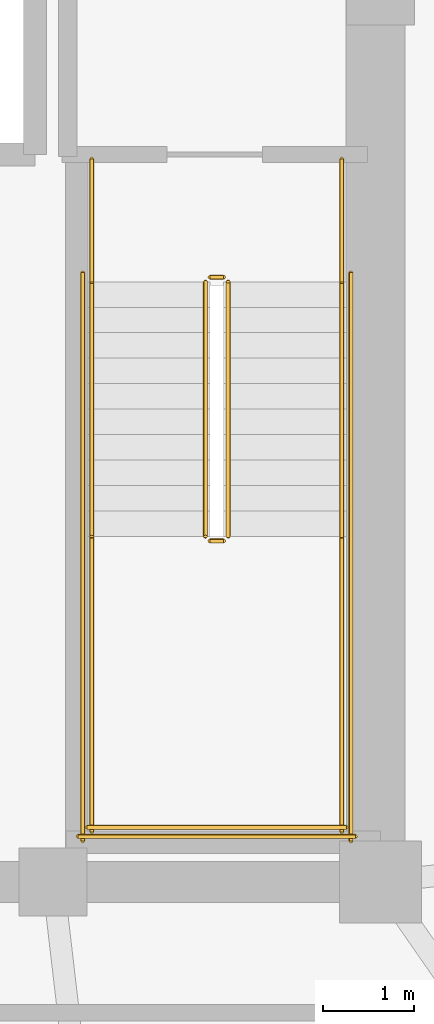
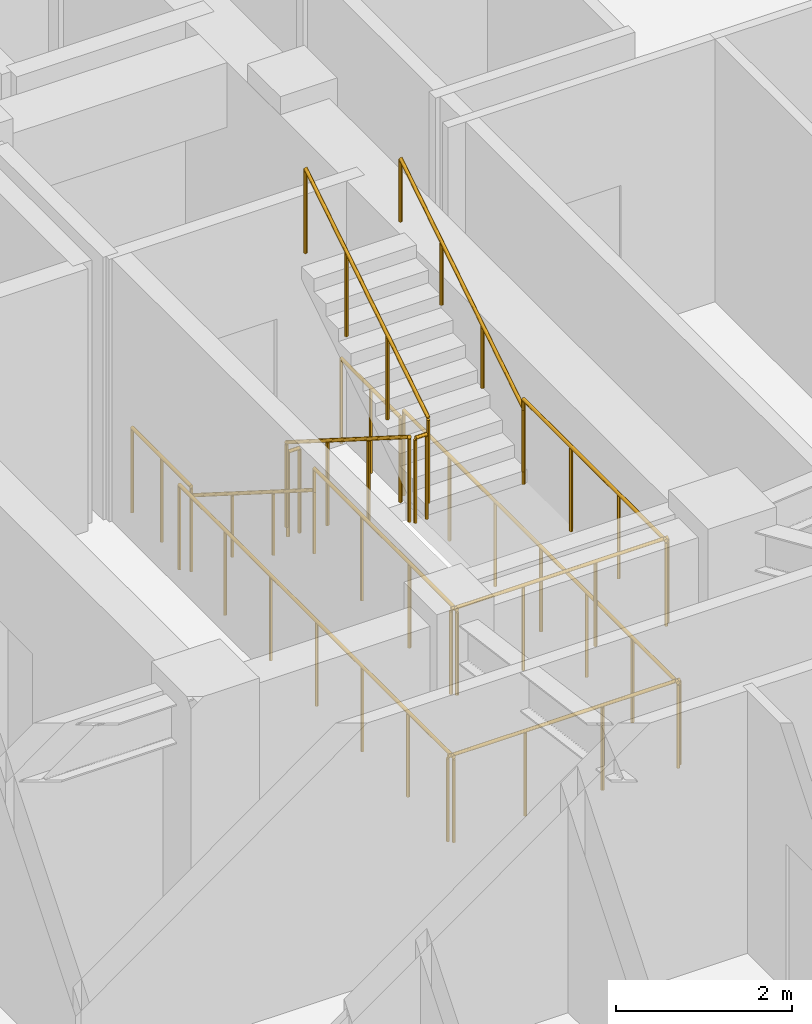
# One storey, part 11 of 11: 14 railings.
"""IFC4 building model written with IfcOpenShell, lengths in metres."""

import ifcopenshell
import ifcopenshell.guid

model = None  # the IFC model being written
_history = None  # IfcOwnerHistory: only IFC2X3 demands one
_inside = {}  # id of a spatial element -> (the spatial element, [elements in it])
_under = {}  # id of a project, library or spatial element -> (it, [spatial elements below it])
_declared = {}  # id of a project -> (the project, [libraries it declares])
_typed = {}  # id of a type object -> (the type object, [elements of that type])
_made_of = {}  # id of a material, layer set ... -> (it, [elements and type objects made of it])


def new_model(schema):
    """Start an empty IFC model of exactly this schema.

    Asked for "IFC4X3", IfcOpenShell would pick the latest addendum, in which some entities
    have other attributes; the version numbers below select the first issue.
    IFC2X3 requires an IfcOwnerHistory on every rooted entity: one is made here for all.
    """
    global model, _history
    if schema == "IFC4X3":
        model = ifcopenshell.file(schema_version=(4, 3, 0, 0))
    else:
        model = ifcopenshell.file(schema=schema)
    _inside.clear()
    _under.clear()
    _declared.clear()
    _typed.clear()
    _made_of.clear()
    _history = None
    if model.schema == "IFC2X3":
        org = make("IfcOrganization", Name="unknown")
        user = make(
            "IfcPersonAndOrganization",
            ThePerson=make("IfcPerson", FamilyName="unknown"),
            TheOrganization=org,
        )
        app = make(
            "IfcApplication",
            ApplicationDeveloper=org,
            Version="unknown",
            ApplicationFullName="unknown",
            ApplicationIdentifier="unknown",
        )
        _history = make(
            "IfcOwnerHistory",
            OwningUser=user,
            OwningApplication=app,
            ChangeAction="ADDED",
            CreationDate=0,
        )
    return model


def make(cls, **values):
    """One entity of the class cls with the attributes given. An attribute that is None is left unset."""
    return model.create_entity(
        cls, **{name: value for name, value in values.items() if value is not None}
    )


def rooted(cls, **values):
    """An entity with a GlobalId (a new one), such as an element, a storey or a relation."""
    return make(cls, GlobalId=ifcopenshell.guid.new(), OwnerHistory=_history, **values)


def si_unit(unit_type, name, prefix=None):
    """IfcSIUnit, for example si_unit("LENGTHUNIT", "METRE", prefix="MILLI")."""
    return make("IfcSIUnit", UnitType=unit_type, Prefix=prefix, Name=name)


def assignment(units):
    """IfcUnitAssignment: the units of a project."""
    return None if units is None else make("IfcUnitAssignment", Units=units)


def point(xyz):
    """IfcCartesianPoint."""
    return None if xyz is None else make("IfcCartesianPoint", Coordinates=xyz)


def direction(xyz):
    """IfcDirection."""
    return None if xyz is None else make("IfcDirection", DirectionRatios=xyz)


def frame(location, z_axis=None, x_axis=None):
    """IfcAxis2Placement3D, a coordinate frame: its origin and axes. An axis left out is left unset."""
    return make(
        "IfcAxis2Placement3D",
        Location=point(location),
        Axis=direction(z_axis),
        RefDirection=direction(x_axis),
    )


def frame_2d(location, x_axis=None):
    """IfcAxis2Placement2D, a coordinate frame in the plane: its origin and x axis."""
    return make(
        "IfcAxis2Placement2D", Location=point(location), RefDirection=direction(x_axis)
    )


def origin():
    """The frame at (0, 0, 0) with its axes left unset."""
    return frame((0.0, 0.0, 0.0))


def origin_2d():
    """The frame at (0, 0) in the plane with its x axis left unset."""
    return frame_2d((0.0, 0.0))


def place(relative_to, where):
    """IfcLocalPlacement: puts the frame where relative to a parent placement (None: the world)."""
    return make(
        "IfcLocalPlacement", PlacementRelTo=relative_to, RelativePlacement=where
    )


def context(
    kind, dimensions, precision=None, world=None, true_north=None, identifier=None
):
    """IfcGeometricRepresentationContext, for example the 3D "Model" context."""
    return make(
        "IfcGeometricRepresentationContext",
        ContextIdentifier=identifier,
        ContextType=kind,
        CoordinateSpaceDimension=dimensions,
        Precision=precision,
        WorldCoordinateSystem=world,
        TrueNorth=true_north,
    )


def subcontext(parent, identifier, kind, view, scale=None):
    """IfcGeometricRepresentationSubContext, for example "Body" below "Model"."""
    return make(
        "IfcGeometricRepresentationSubContext",
        ContextIdentifier=identifier,
        ContextType=kind,
        ParentContext=parent,
        TargetScale=scale,
        TargetView=view,
    )


def project(units=None, contexts=None):
    """IfcProject with its units and contexts."""
    return rooted(
        "IfcProject",
        Name="project",
        RepresentationContexts=contexts,
        UnitsInContext=assignment(units),
    )


def spatial(cls, under=None, at=None, **own):
    """A site, building, storey or space (cls), placed at a placement, below another one or the project."""
    s = rooted(cls, ObjectPlacement=at, **own)
    if under is not None:
        _under.setdefault(under.id(), (under, []))[1].append(s)
    return s


def profile(cls, at=None, kind="AREA", **sizes):
    """A parametric profile (cls). Its sizes go by their IFC names, for example OverallWidth=200.0."""
    return make(cls, ProfileType=kind, Position=at, **sizes)


def circle(**sizes):
    """IfcCircleProfileDef."""
    return profile("IfcCircleProfileDef", **sizes)


def extrude(swept, where, along, depth):
    """IfcExtrudedAreaSolid: the profile swept, set in the frame where, extruded along a direction by depth."""
    return make(
        "IfcExtrudedAreaSolid",
        SweptArea=swept,
        Position=where,
        ExtrudedDirection=direction(along),
        Depth=depth,
    )


def shape(context_of_items, identifier, shape_type, items):
    """IfcShapeRepresentation: the items that make up one representation, for example the "Body"."""
    return make(
        "IfcShapeRepresentation",
        ContextOfItems=context_of_items,
        RepresentationIdentifier=identifier,
        RepresentationType=shape_type,
        Items=items,
    )


def material(Name=None, Category=None):
    """IfcMaterial."""
    return make("IfcMaterial", Name=Name, Category=Category)


def made_of(thing, what):
    """Note that an element or type object is made of a material, layer set ...; save() writes the relation."""
    if what is not None:
        _made_of.setdefault(what.id(), (what, []))[1].append(thing)
    return thing


def type_object(cls, material=None, **own):
    """A type object (cls), such as IfcWallType, which elements share."""
    return made_of(rooted(cls, **own), material)


def element(
    cls,
    number,
    at=None,
    inside=None,
    cuts=None,
    type_object=None,
    material=None,
    context=None,
    identifier="Body",
    shape_type=None,
    held_by="IfcProductDefinitionShape",
    body=None,
    shapes=None,
    **own,
):
    """One element of the class cls, such as IfcWall. Its Tag is "e" and its number.

    at: its placement. inside: the storey or other place that contains it. cuts: it is an
    opening in that element (IfcRelVoidsElement). A single representation is given by context,
    identifier, shape_type and body (its items); several are given by shapes. held_by: the class
    of the entity that holds the representations. save() writes the other relations.
    """
    e = rooted(cls, Tag="e%d" % number, ObjectPlacement=at, **own)
    if body is not None:
        shapes = [shape(context, identifier, shape_type, body)]
    if shapes is not None:
        e.Representation = make(held_by, Representations=shapes)
    if inside is not None:
        _inside.setdefault(inside.id(), (inside, []))[1].append(e)
    if cuts is not None:
        rooted(
            "IfcRelVoidsElement", RelatingBuildingElement=cuts, RelatedOpeningElement=e
        )
    if type_object is not None:
        _typed.setdefault(type_object.id(), (type_object, []))[1].append(e)
    return made_of(e, material)


def aggregate(whole, parts):
    """IfcRelAggregates: a whole, such as a stair, and the parts it consists of."""
    return rooted("IfcRelAggregates", RelatingObject=whole, RelatedObjects=parts)


def save(model, path):
    """Write the relations noted so far, then the file.

    IfcRelAggregates (storeys below a building ...), IfcRelContainedInSpatialStructure (elements
    in a storey), IfcRelDefinesByType, IfcRelAssociatesMaterial and IfcRelDeclares: one each for
    every whole, place, type object, material and project.
    """
    for whole, parts in _under.values():
        aggregate(whole, parts)
    for where, things in _inside.values():
        rooted(
            "IfcRelContainedInSpatialStructure",
            RelatedElements=things,
            RelatingStructure=where,
        )
    for kind, things in _typed.values():
        rooted("IfcRelDefinesByType", RelatedObjects=things, RelatingType=kind)
    for what, things in _made_of.values():
        rooted("IfcRelAssociatesMaterial", RelatedObjects=things, RelatingMaterial=what)
    for by, libraries in _declared.values():
        rooted("IfcRelDeclares", RelatingContext=by, RelatedDefinitions=libraries)
    model.write(path)


model = new_model("IFC4")

# Units and contexts
model_context = context("Model", 3, precision=1e-05, world=origin(), true_north=direction((0.0, 1.0)))
body_context = subcontext(model_context, "Body", "Model", "MODEL_VIEW")
ifc_project = project(units=[si_unit("LENGTHUNIT", "METRE"), si_unit("AREAUNIT", "SQUARE_METRE"), si_unit("VOLUMEUNIT", "CUBIC_METRE"), si_unit("PLANEANGLEUNIT", "RADIAN"), si_unit("MASSUNIT", "GRAM", prefix="KILO")], contexts=[model_context])

# Site, building, storey
site_placement = place(None, origin())
site = spatial("IfcSite", under=ifc_project, at=site_placement, CompositionType="ELEMENT")
building_placement = place(site_placement, origin())
building = spatial("IfcBuilding", under=site, at=building_placement, Name="Voryun Gate Residences", CompositionType="ELEMENT")
storey_placement = place(building_placement, frame((0.0, 0.0, 239.199951171875)))
storey = spatial("IfcBuildingStorey", under=building, at=storey_placement, Name="L59", CompositionType="ELEMENT", Elevation=239.199951171875)

# Railings
ifc_material_1 = material(Name="Painted steel", Category="steel")
railing_type_1 = type_object("IfcRailingType", Name="RAIL_STAIR_GUARD_1200", PredefinedType="GUARDRAIL", material=ifc_material_1)
railing_1_placement = place(storey_placement, frame((17.27490234375, -0.800048828125, 0.17724609375)))
element("IfcRailing", 1, at=railing_1_placement, inside=storey, type_object=railing_type_1, Name="L59 ST-E1 stair guard 1", PredefinedType="GUARDRAIL", context=body_context, shape_type="SweptSolid", body=[
    extrude(circle(Radius=0.02392578125, at=origin_2d()), frame((0.0, 0.0, 1.17578125), z_axis=(0.0, -0.844908973607, 0.534910110503), x_axis=(1.0, 0.0, 0.0)), (0.0, 0.0, 1.0), 3.31396484375),
    extrude(circle(Radius=0.02099609375, at=origin_2d()), origin(), (0.0, 0.0, 1.0), 1.15185546875),
    extrude(circle(Radius=0.02099609375, at=origin_2d()), frame((0.0, -0.933349609375, 0.5908203125)), (0.0, 0.0, 1.0), 1.15185546875),
    extrude(circle(Radius=0.02099609375, at=origin_2d()), frame((0.0, -1.86669921875, 1.181884765625)), (0.0, 0.0, 1.0), 1.15185546875),
    extrude(circle(Radius=0.02099609375, at=origin_2d()), frame((0.0, -2.800048828125, 1.772705078125)), (0.0, 0.0, 1.0), 1.15185546875),
])
railing_2_placement = place(storey_placement, frame((17.324951171875, -3.64990234375, 1.949951171875)))
element("IfcRailing", 2, at=railing_2_placement, inside=storey, type_object=railing_type_1, Name="L59 ST-E1 stair guard 2", PredefinedType="GUARDRAIL", context=body_context, shape_type="SweptSolid", body=[
    extrude(circle(Radius=0.02392578125, at=origin_2d()), frame((0.0, 0.0, 1.17578125), z_axis=(1.0, 0.0, 0.0), x_axis=(0.0, 1.0, 0.0)), (0.0, 0.0, 1.0), 0.150146484375),
    extrude(circle(Radius=0.02099609375, at=origin_2d()), origin(), (0.0, 0.0, 1.0), 1.15185546875),
    extrude(circle(Radius=0.02099609375, at=origin_2d()), frame((0.150146484375, 0.0, 0.0)), (0.0, 0.0, 1.0), 1.15185546875),
])
for number, where, name in (
    (3, (16.02490234375, -3.60009765625, 1.949951171875), "L59 ST-E1 stair guard 3"),
    (4, (18.77490234375, -3.60009765625, 1.949951171875), "L59 ST-E1 stair guard 4"),
):
    element("IfcRailing", number, at=place(storey_placement, frame(where)), inside=storey, type_object=railing_type_1, Name=name, PredefinedType="GUARDRAIL", context=body_context, shape_type="SweptSolid", body=[
        extrude(circle(Radius=0.02392578125, at=origin_2d()), frame((0.0, 0.0, 1.17578125), z_axis=(0.0, -1.0, 0.0), x_axis=(1.0, 0.0, 0.0)), (0.0, 0.0, 1.0), 3.25),
        extrude(circle(Radius=0.02099609375, at=origin_2d()), origin(), (0.0, 0.0, 1.0), 1.15185546875),
        extrude(circle(Radius=0.02099609375, at=origin_2d()), frame((0.0, -1.083251953125, 0.0)), (0.0, 0.0, 1.0), 1.15185546875),
        extrude(circle(Radius=0.02099609375, at=origin_2d()), frame((0.0, -2.166748046875, 0.0)), (0.0, 0.0, 1.0), 1.15185546875),
        extrude(circle(Radius=0.02099609375, at=origin_2d()), frame((0.0, -3.25, 0.0)), (0.0, 0.0, 1.0), 1.15185546875),
    ])
railing_3_placement = place(storey_placement, frame((15.97509765625, -6.800048828125, 1.949951171875)))
element("IfcRailing", 5, at=railing_3_placement, inside=storey, type_object=railing_type_1, Name="L59 ST-E1 stair guard 5", PredefinedType="GUARDRAIL", context=body_context, shape_type="SweptSolid", body=[
    extrude(circle(Radius=0.02392578125, at=origin_2d()), frame((0.0, 0.0, 1.17578125), z_axis=(1.0, 0.0, 0.0), x_axis=(0.0, 1.0, 0.0)), (0.0, 0.0, 1.0), 2.849853515625),
    extrude(circle(Radius=0.02099609375, at=origin_2d()), origin(), (0.0, 0.0, 1.0), 1.15185546875),
    extrude(circle(Radius=0.02099609375, at=origin_2d()), frame((0.949951171875, 0.0, 0.0)), (0.0, 0.0, 1.0), 1.15185546875),
    extrude(circle(Radius=0.02099609375, at=origin_2d()), frame((1.89990234375, 0.0, 0.0)), (0.0, 0.0, 1.0), 1.15185546875),
    extrude(circle(Radius=0.02099609375, at=origin_2d()), frame((2.849853515625, 0.0, 0.0)), (0.0, 0.0, 1.0), 1.15185546875),
])
railing_4_placement = place(storey_placement, frame((17.52490234375, -3.60009765625, 2.12744140625)))
element("IfcRailing", 6, at=railing_4_placement, inside=storey, type_object=railing_type_1, Name="L59 ST-E1 stair guard 6", PredefinedType="GUARDRAIL", context=body_context, shape_type="SweptSolid", body=[
    extrude(circle(Radius=0.02392578125, at=origin_2d()), frame((0.0, 0.0, 1.17578125), z_axis=(0.0, 0.844908973607, 0.534910110503), x_axis=(-1.0, 0.0, 0.0)), (0.0, 0.0, 1.0), 3.31396484375),
    extrude(circle(Radius=0.02099609375, at=origin_2d()), origin(), (0.0, 0.0, 1.0), 1.15185546875),
    extrude(circle(Radius=0.02099609375, at=origin_2d()), frame((0.0, 0.933349609375, 0.5908203125)), (0.0, 0.0, 1.0), 1.15185546875),
    extrude(circle(Radius=0.02099609375, at=origin_2d()), frame((0.0, 1.86669921875, 1.181884765625)), (0.0, 0.0, 1.0), 1.15185546875),
    extrude(circle(Radius=0.02099609375, at=origin_2d()), frame((0.0, 2.800048828125, 1.772705078125)), (0.0, 0.0, 1.0), 1.15185546875),
])
railing_5_placement = place(storey_placement, frame((17.324951171875, -0.75, 0.0)))
element("IfcRailing", 7, at=railing_5_placement, inside=storey, type_object=railing_type_1, Name="L59 ST-E1 stair guard 7", PredefinedType="GUARDRAIL", context=body_context, shape_type="SweptSolid", body=[
    extrude(circle(Radius=0.02392578125, at=origin_2d()), frame((0.0, 0.0, 1.17578125), z_axis=(1.0, 0.0, 0.0), x_axis=(0.0, 1.0, 0.0)), (0.0, 0.0, 1.0), 0.150146484375),
    extrude(circle(Radius=0.02099609375, at=origin_2d()), origin(), (0.0, 0.0, 1.0), 1.15185546875),
    extrude(circle(Radius=0.02099609375, at=origin_2d()), frame((0.150146484375, 0.0, 0.0)), (0.0, 0.0, 1.0), 1.15185546875),
])
for number, where, name in (
    (8, (16.02490234375, 0.550048828125, 0.0), "L59 ST-E1 stair guard 8"),
    (9, (18.77490234375, 0.550048828125, 0.0), "L59 ST-E1 stair guard 9"),
):
    element("IfcRailing", number, at=place(storey_placement, frame(where)), inside=storey, type_object=railing_type_1, Name=name, PredefinedType="GUARDRAIL", context=body_context, shape_type="SweptSolid", body=[
        extrude(circle(Radius=0.02392578125, at=origin_2d()), frame((0.0, 0.0, 1.17578125), z_axis=(0.0, -1.0, 0.0), x_axis=(1.0, 0.0, 0.0)), (0.0, 0.0, 1.0), 1.35009765625),
        extrude(circle(Radius=0.02099609375, at=origin_2d()), origin(), (0.0, 0.0, 1.0), 1.15185546875),
        extrude(circle(Radius=0.02099609375, at=origin_2d()), frame((0.0, -0.675048828125, 0.0)), (0.0, 0.0, 1.0), 1.15185546875),
        extrude(circle(Radius=0.02099609375, at=origin_2d()), frame((0.0, -1.35009765625, 0.0)), (0.0, 0.0, 1.0), 1.15185546875),
    ])
for number, where, name in (
    (10, (15.925048828125, -0.699951171875, 0.0), "L59 ST-E1 stair guard 10"),
    (11, (18.875, -0.699951171875, 0.0), "L59 ST-E1 stair guard 11"),
):
    element("IfcRailing", number, at=place(storey_placement, frame(where)), inside=storey, type_object=railing_type_1, Name=name, PredefinedType="GUARDRAIL", context=body_context, shape_type="SweptSolid", body=[
        extrude(circle(Radius=0.02392578125, at=origin_2d()), frame((0.0, 0.0, 1.17578125), z_axis=(0.0, -1.0, 0.0), x_axis=(1.0, 0.0, 0.0)), (0.0, 0.0, 1.0), 6.25),
        extrude(circle(Radius=0.02099609375, at=origin_2d()), origin(), (0.0, 0.0, 1.0), 1.15185546875),
        extrude(circle(Radius=0.02099609375, at=origin_2d()), frame((0.0, -1.041748046875, 0.0)), (0.0, 0.0, 1.0), 1.15185546875),
        extrude(circle(Radius=0.02099609375, at=origin_2d()), frame((0.0, -2.083251953125, 0.0)), (0.0, 0.0, 1.0), 1.15185546875),
        extrude(circle(Radius=0.02099609375, at=origin_2d()), frame((0.0, -3.125, 0.0)), (0.0, 0.0, 1.0), 1.15185546875),
        extrude(circle(Radius=0.02099609375, at=origin_2d()), frame((0.0, -4.166748046875, 0.0)), (0.0, 0.0, 1.0), 1.15185546875),
        extrude(circle(Radius=0.02099609375, at=origin_2d()), frame((0.0, -5.208251953125, 0.0)), (0.0, 0.0, 1.0), 1.15185546875),
        extrude(circle(Radius=0.02099609375, at=origin_2d()), frame((0.0, -6.25, 0.0)), (0.0, 0.0, 1.0), 1.15185546875),
    ])
railing_6_placement = place(storey_placement, frame((15.875, -6.89990234375, 0.0)))
element("IfcRailing", 12, at=railing_6_placement, inside=storey, type_object=railing_type_1, Name="L59 ST-E1 stair guard 12", PredefinedType="GUARDRAIL", context=body_context, shape_type="SweptSolid", body=[
    extrude(circle(Radius=0.02392578125, at=origin_2d()), frame((0.0, 0.0, 1.17578125), z_axis=(1.0, 0.0, 0.0), x_axis=(0.0, 1.0, 0.0)), (0.0, 0.0, 1.0), 3.050048828125),
    extrude(circle(Radius=0.02099609375, at=origin_2d()), origin(), (0.0, 0.0, 1.0), 1.15185546875),
    extrude(circle(Radius=0.02099609375, at=origin_2d()), frame((1.0166015625, 0.0, 0.0)), (0.0, 0.0, 1.0), 1.15185546875),
    extrude(circle(Radius=0.02099609375, at=origin_2d()), frame((2.033447265625, 0.0, 0.0)), (0.0, 0.0, 1.0), 1.15185546875),
    extrude(circle(Radius=0.02099609375, at=origin_2d()), frame((3.050048828125, 0.0, 0.0)), (0.0, 0.0, 1.0), 1.15185546875),
])
ifc_material_2 = material(Name="Painted steel", Category="steel")
railing_type_2 = type_object("IfcRailingType", Name="RAIL_STAIR_HANDRAIL_900", PredefinedType="HANDRAIL", material=ifc_material_2)
railing_7_placement = place(storey_placement, frame((16.02490234375, -0.800048828125, 0.17724609375)))
element("IfcRailing", 13, at=railing_7_placement, inside=storey, type_object=railing_type_2, Name="L59 ST-E1 stair handrail 1", PredefinedType="HANDRAIL", context=body_context, shape_type="SweptSolid", body=[
    extrude(circle(Radius=0.02392578125, at=origin_2d()), frame((0.0, 0.0, 0.8759765625), z_axis=(0.0, -0.844908973607, 0.534910110503), x_axis=(1.0, 0.0, 0.0)), (0.0, 0.0, 1.0), 3.31396484375),
    extrude(circle(Radius=0.02099609375, at=origin_2d()), origin(), (0.0, 0.0, 1.0), 0.851806640625),
    extrude(circle(Radius=0.02099609375, at=origin_2d()), frame((0.0, -0.933349609375, 0.5908203125)), (0.0, 0.0, 1.0), 0.851806640625),
    extrude(circle(Radius=0.02099609375, at=origin_2d()), frame((0.0, -1.86669921875, 1.181884765625)), (0.0, 0.0, 1.0), 0.851806640625),
    extrude(circle(Radius=0.02099609375, at=origin_2d()), frame((0.0, -2.800048828125, 1.772705078125)), (0.0, 0.0, 1.0), 0.851806640625),
])
railing_8_placement = place(storey_placement, frame((18.77490234375, -3.60009765625, 2.12744140625)))
element("IfcRailing", 14, at=railing_8_placement, inside=storey, type_object=railing_type_2, Name="L59 ST-E1 stair handrail 2", PredefinedType="HANDRAIL", context=body_context, shape_type="SweptSolid", body=[
    extrude(circle(Radius=0.02392578125, at=origin_2d()), frame((0.0, 0.0, 0.8759765625), z_axis=(0.0, 0.844908973607, 0.534910110503), x_axis=(-1.0, 0.0, 0.0)), (0.0, 0.0, 1.0), 3.31396484375),
    extrude(circle(Radius=0.02099609375, at=origin_2d()), origin(), (0.0, 0.0, 1.0), 0.851806640625),
    extrude(circle(Radius=0.02099609375, at=origin_2d()), frame((0.0, 0.933349609375, 0.5908203125)), (0.0, 0.0, 1.0), 0.851806640625),
    extrude(circle(Radius=0.02099609375, at=origin_2d()), frame((0.0, 1.86669921875, 1.181884765625)), (0.0, 0.0, 1.0), 0.851806640625),
    extrude(circle(Radius=0.02099609375, at=origin_2d()), frame((0.0, 2.800048828125, 1.772705078125)), (0.0, 0.0, 1.0), 0.851806640625),
])

save(model, "model.ifc")
